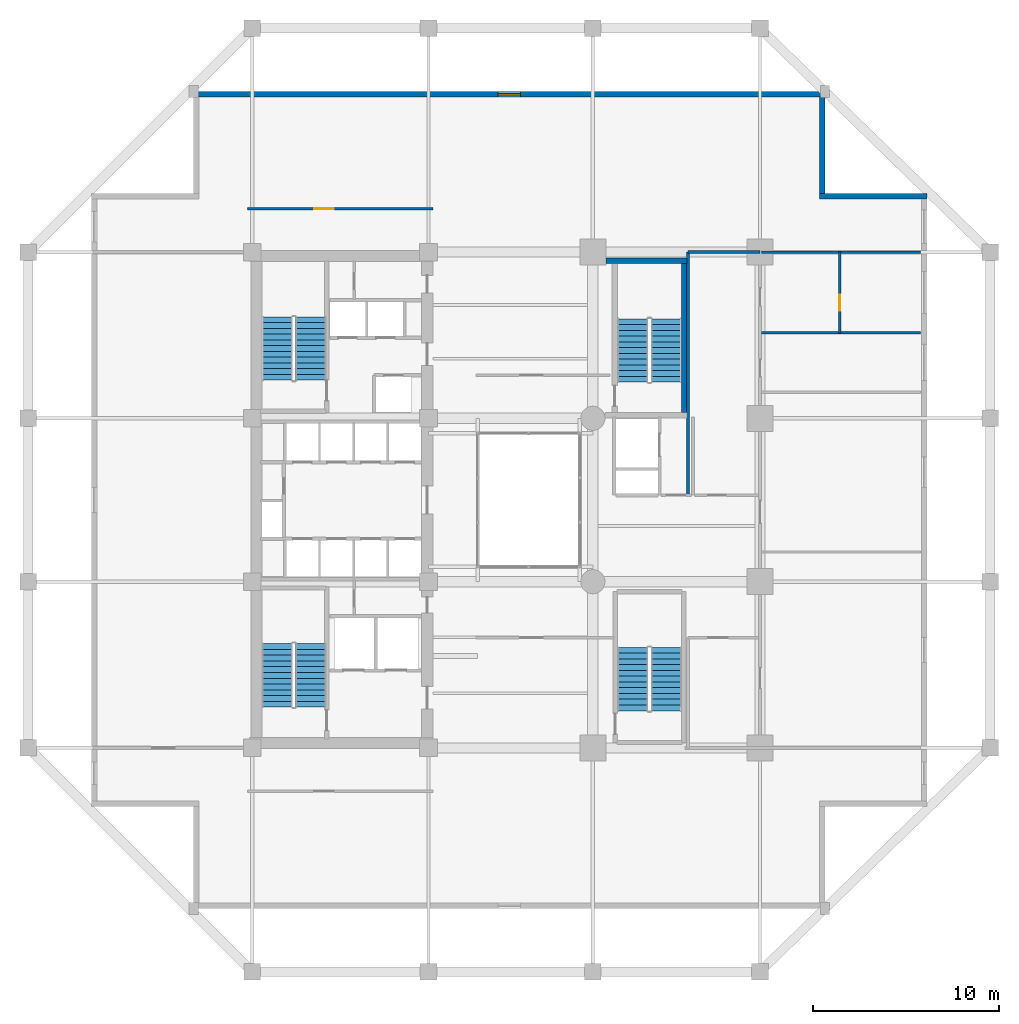
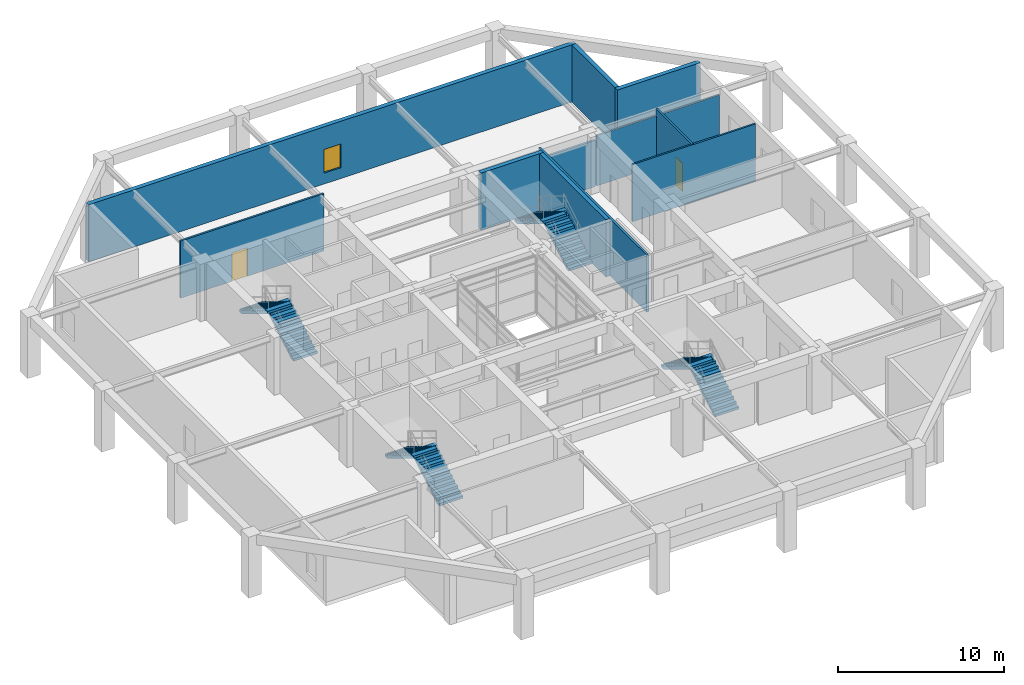
# One storey, part 9 of 10: 11 walls, 8 stair flights, 2 doors, 1 window, 3 openings, 4 elements without a shape of their own.
"""IFC4 building model written with IfcOpenShell, lengths in metres."""

from ifc_helpers import new_model, si_unit, direction, frame, frame_2d, origin, place, context, subcontext, project, spatial, polyline, rectangle, outline, extrude, material, layer, layer_set, type_object, element, fill, aggregate, save


model = new_model("IFC4")

# Units and contexts
model_context = context("Model", 3, precision=1e-05, world=origin(), true_north=direction((0.0, 1.0)))
body_context = subcontext(model_context, "Body", "Model", "MODEL_VIEW")
ifc_project = project(units=[si_unit("LENGTHUNIT", "METRE"), si_unit("AREAUNIT", "SQUARE_METRE"), si_unit("VOLUMEUNIT", "CUBIC_METRE"), si_unit("PLANEANGLEUNIT", "RADIAN"), si_unit("MASSUNIT", "GRAM", prefix="KILO")], contexts=[model_context])

# Site, building, storey
site_placement = place(None, origin())
site = spatial("IfcSite", under=ifc_project, at=site_placement, CompositionType="ELEMENT")
building_placement = place(site_placement, origin())
building = spatial("IfcBuilding", under=site, at=building_placement, Name="Kundavana Baori Tower", CompositionType="ELEMENT")
storey_placement = place(building_placement, frame((0.0, 0.0, 12.5)))
storey = spatial("IfcBuildingStorey", under=building, at=storey_placement, Name="L02", CompositionType="ELEMENT", Elevation=12.5)

# Walls
ifc_material_1 = material(Name="Red-Buff Dholpur Sandstone Cladding on Concrete C40/50", Category="masonry")
ifc_layer_1 = layer(ifc_material_1, 0.300048828125, Name="WL-EXT-SAND-300")
ifc_layer_set_1 = layer_set([ifc_layer_1], Name="Red-Buff Dholpur Sandstone Cladding on Concrete C40/50")
wall_type_1 = type_object("IfcWallType", Name="WL-EXT-SAND-300", PredefinedType="STANDARD", material=ifc_layer_set_1)
wall_1_placement = place(storey_placement, frame((51.800048828125, 44.949951171875, 0.0), z_axis=(0.0, 0.0, 1.0), x_axis=(-1.0, 0.0, 0.0)))
element("IfcWall", 1, at=wall_1_placement, inside=storey, type_object=wall_type_1, Name="L02 Exterior Insulated Facade Wall 05", PredefinedType="STANDARD", context=body_context, shape_type="SweptSolid", body=[
    extrude(rectangle(XDim=5.800048828125, YDim=0.300048828125, at=frame_2d((2.89990234375, 0.0))), origin(), (0.0, 0.0, 1.0), 4.219970703125),
])
wall_2_placement = place(storey_placement, frame((46.14990234375, 45.10009765625, 0.0), z_axis=(0.0, 0.0, 1.0), x_axis=(0.0, 1.0, 0.0)))
element("IfcWall", 2, at=wall_2_placement, inside=storey, type_object=wall_type_1, Name="L02 Exterior Insulated Facade Wall 06", PredefinedType="STANDARD", context=body_context, shape_type="SweptSolid", body=[
    extrude(rectangle(XDim=5.199951171875, YDim=0.300048828125, at=frame_2d((2.60009765625, 0.0))), origin(), (0.0, 0.0, 1.0), 4.219970703125),
])

# Wall, opening, window
wall_3_placement = place(storey_placement, frame((46.300048828125, 50.449951171875, 0.0), z_axis=(0.0, 0.0, 1.0), x_axis=(-1.0, 0.0, 0.0)))
wall_3 = element("IfcWall", 3, at=wall_3_placement, inside=storey, type_object=wall_type_1, Name="L02 Exterior Insulated Facade Wall 07", PredefinedType="STANDARD", context=body_context, shape_type="SweptSolid", body=[
    extrude(rectangle(XDim=34.0, YDim=0.300048828125, at=frame_2d((17.0, 0.0))), origin(), (0.0, 0.0, 1.0), 4.219970703125),
])
opening_1_placement = place(wall_3_placement, frame((16.39990234375, 0.0, 0.800048828125)))
opening_1 = element("IfcOpeningElement", 4, at=opening_1_placement, cuts=wall_3, Name="Opening W-03", PredefinedType="OPENING", context=body_context, shape_type="SweptSolid", body=[
    extrude(rectangle(XDim=1.199951171875, YDim=1.75, at=frame_2d((0.60009765625, 0.875))), frame((0.0, 0.16015625, 0.0), z_axis=(0.0, -1.0, 0.0), x_axis=(1.0, 0.0, 0.0)), (0.0, 0.0, 1.0), 0.320068359375),
])
ifc_material_2 = material(Name="Double-Glazed Solar-Control Low-E Insulated Glass", Category="glass")
window_type = type_object("IfcWindowType", Name="WIN-LOG-1200x1750", PartitioningType="SINGLE_PANEL", PredefinedType="WINDOW", material=ifc_material_2)
window_placement = place(opening_1_placement, origin())
window = element("IfcWindow", 5, at=window_placement, inside=storey, type_object=window_type, Name="L02 Recessed Loggia Window N-1", OverallHeight=1.75, OverallWidth=1.199951171875, PartitioningType="SINGLE_PANEL", PredefinedType="WINDOW", context=body_context, shape_type="SweptSolid", body=[
    extrude(rectangle(XDim=1.199951171875, YDim=1.75, at=frame_2d((0.60009765625, 0.875))), frame((0.0, 0.030029296875, 0.0), z_axis=(0.0, -1.0, 0.0), x_axis=(1.0, 0.0, 0.0)), (0.0, 0.0, 1.0), 0.06005859375),
])
fill(opening_1, window)

# Wall, opening, door
ifc_material_3 = material(Name="Acoustic Gypsum Plasterboard on Galvanised Steel Studs", Category="steel")
ifc_layer_2 = layer(ifc_material_3, 0.135009765625, Name="WL-PART-135")
ifc_layer_set_2 = layer_set([ifc_layer_2], Name="Acoustic Gypsum Plasterboard on Galvanised Steel Studs")
wall_type_2 = type_object("IfcWallType", Name="WL-PART-135", PredefinedType="PARTITIONING", material=ifc_layer_set_2)
wall_4_placement = place(storey_placement, frame((15.199951171875, 44.280029296875, 0.0), z_axis=(0.0, 0.0, 1.0), x_axis=(1.0, 0.0, 0.0)))
wall_4 = element("IfcWall", 6, at=wall_4_placement, inside=storey, type_object=wall_type_2, Name="WL-L02-NC", PredefinedType="PARTITIONING", context=body_context, shape_type="SweptSolid", body=[
    extrude(rectangle(XDim=10.0, YDim=0.135009765625, at=frame_2d((5.0, 0.0))), origin(), (0.0, 0.0, 1.0), 4.219970703125),
])
opening_2_placement = place(wall_4_placement, frame((3.60009765625, 0.0, 0.0)))
opening_2 = element("IfcOpeningElement", 7, at=opening_2_placement, cuts=wall_4, Name="Opening ID-105", PredefinedType="OPENING", context=body_context, shape_type="SweptSolid", body=[
    extrude(rectangle(XDim=1.050048828125, YDim=2.10009765625, at=frame_2d((0.52490234375, 1.050048828125))), frame((0.0, 0.07763671875, 0.0), z_axis=(0.0, -1.0, 0.0), x_axis=(1.0, 0.0, 0.0)), (0.0, 0.0, 1.0), 0.155029296875),
])
ifc_material_4 = material(Name="Engineered Teak Solid-Core Timber Veneer", Category="wood")
door_type_1 = type_object("IfcDoorType", Name="DR-INT-1050", OperationType="NOTDEFINED", PredefinedType="DOOR", material=ifc_material_4)
door_1_placement = place(opening_2_placement, origin())
door_1 = element("IfcDoor", 8, at=door_1_placement, inside=storey, type_object=door_type_1, Name="DR-L02-RNW", OperationType="SINGLE_SWING_RIGHT", OverallHeight=2.10009765625, OverallWidth=1.050048828125, PredefinedType="DOOR", context=body_context, shape_type="SweptSolid", body=[
    extrude(rectangle(XDim=1.050048828125, YDim=2.10009765625, at=frame_2d((0.52490234375, 1.050048828125))), frame((0.0, 0.02490234375, 0.0), z_axis=(0.0, -1.0, 0.0), x_axis=(1.0, 0.0, 0.0)), (0.0, 0.0, 1.0), 0.050048828125),
])
fill(opening_2, door_1)

# Walls
ifc_material_5 = material(Name="Fire-Rated Gypsum Drywall on Galvanised Steel Studs", Category="steel")
ifc_layer_3 = layer(ifc_material_5, 0.14990234375, Name="WL-PART-150")
ifc_layer_set_3 = layer_set([ifc_layer_3], Name="Fire-Rated Gypsum Drywall on Galvanised Steel Studs")
wall_type_3 = type_object("IfcWallType", Name="WL-PART-150", PredefinedType="PARTITIONING", material=ifc_layer_set_3)
wall_5_placement = place(storey_placement, frame((38.919921875, 28.860107421875, 0.0), z_axis=(0.0, 0.0, 1.0), x_axis=(0.0, 1.0, 0.0)))
element("IfcWall", 9, at=wall_5_placement, inside=storey, type_object=wall_type_3, Name="WL-L02-PEATW", PredefinedType="PARTITIONING", context=body_context, shape_type="SweptSolid", body=[
    extrude(rectangle(XDim=13.08984375, YDim=0.14990234375, at=frame_2d((6.544921875, 0.0))), origin(), (0.0, 0.0, 1.0), 4.219970703125),
])
wall_6_placement = place(storey_placement, frame((38.919921875, 41.949951171875, 0.0), z_axis=(0.0, 0.0, 1.0), x_axis=(1.0, 0.0, 0.0)))
element("IfcWall", 10, at=wall_6_placement, inside=storey, type_object=wall_type_3, Name="WL-L02-PEATN", PredefinedType="PARTITIONING", context=body_context, shape_type="SweptSolid", body=[
    extrude(rectangle(XDim=3.880126953125, YDim=0.14990234375, at=frame_2d((1.93994140625, 0.0))), origin(), (0.0, 0.0, 1.0), 3.419921875),
])
ifc_material_6 = material(Name="Concrete C50/60", Category="concrete")
ifc_layer_4 = layer(ifc_material_6, 0.300048828125, Name="WL-ST3-300")
ifc_layer_set_4 = layer_set([ifc_layer_4], Name="Concrete C50/60")
wall_type_4 = type_object("IfcWallType", Name="WL-ST3-300", PredefinedType="SHEAR", material=ifc_layer_set_4)
wall_7_placement = place(storey_placement, frame((34.5, 41.489990234375, 0.0), z_axis=(0.0, 0.0, 1.0), x_axis=(1.0, 0.0, 0.0)))
element("IfcWall", 11, at=wall_7_placement, inside=storey, type_object=wall_type_4, Name="L02 Stair ST3 North Shear Wall", PredefinedType="SHEAR", context=body_context, shape_type="SweptSolid", body=[
    extrude(rectangle(XDim=4.3701171875, YDim=0.300048828125, at=frame_2d((2.18505859375, 0.0))), origin(), (0.0, 0.0, 1.0), 4.219970703125),
])
wall_8_placement = place(storey_placement, frame((38.719970703125, 33.31005859375, 0.0), z_axis=(0.0, 0.0, 1.0), x_axis=(0.0, 1.0, 0.0)))
element("IfcWall", 12, at=wall_8_placement, inside=storey, type_object=wall_type_4, Name="L02 Stair ST3 East Shear Wall", PredefinedType="SHEAR", context=body_context, shape_type="SweptSolid", body=[
    extrude(rectangle(XDim=8.030029296875, YDim=0.300048828125, at=frame_2d((4.01513671875, 0.0))), origin(), (0.0, 0.0, 1.0), 4.219970703125),
])
ifc_material_7 = material(Name="Autoclaved Aerated Concrete Blockwork Masonry", Category="masonry")
ifc_layer_5 = layer(ifc_material_7, 0.125, Name="WL-WET-120")
ifc_layer_set_5 = layer_set([ifc_layer_5], Name="Autoclaved Aerated Concrete Blockwork Masonry")
wall_type_5 = type_object("IfcWallType", Name="WL-WET-120", PredefinedType="PLUMBINGWALL", material=ifc_layer_set_5)
wall_9_placement = place(storey_placement, frame((42.8798828125, 41.949951171875, 0.0), z_axis=(0.0, 0.0, 1.0), x_axis=(1.0, 0.0, 0.0)))
element("IfcWall", 13, at=wall_9_placement, inside=storey, type_object=wall_type_5, Name="WL-L02-PODE-N", PredefinedType="PLUMBINGWALL", context=body_context, shape_type="SweptSolid", body=[
    extrude(rectangle(XDim=8.570068359375, YDim=0.125, at=frame_2d((4.28515625, 0.0))), origin(), (0.0, 0.0, 1.0), 3.719970703125),
])
wall_10_placement = place(storey_placement, frame((42.8798828125, 37.60009765625, 0.0), z_axis=(0.0, 0.0, 1.0), x_axis=(1.0, 0.0, 0.0)))
element("IfcWall", 14, at=wall_10_placement, inside=storey, type_object=wall_type_5, Name="WL-L02-ED3", PredefinedType="PLUMBINGWALL", context=body_context, shape_type="SweptSolid", body=[
    extrude(rectangle(XDim=8.570068359375, YDim=0.125, at=frame_2d((4.28515625, 0.0))), origin(), (0.0, 0.0, 1.0), 4.219970703125),
])

# Wall, opening, door
wall_11_placement = place(storey_placement, frame((47.10009765625, 37.60009765625, 0.0), z_axis=(0.0, 0.0, 1.0), x_axis=(0.0, 1.0, 0.0)))
wall_11 = element("IfcWall", 15, at=wall_11_placement, inside=storey, type_object=wall_type_5, Name="WL-L02-WCAD", PredefinedType="PLUMBINGWALL", context=body_context, shape_type="SweptSolid", body=[
    extrude(rectangle(XDim=4.349853515625, YDim=0.125, at=frame_2d((2.1748046875, 0.0))), origin(), (0.0, 0.0, 1.0), 4.219970703125),
])
opening_3_placement = place(wall_11_placement, frame((1.199951171875, 0.0, 0.0)))
opening_3 = element("IfcOpeningElement", 16, at=opening_3_placement, cuts=wall_11, Name="Opening WD-085", PredefinedType="OPENING", context=body_context, shape_type="SweptSolid", body=[
    extrude(rectangle(XDim=0.85009765625, YDim=2.050048828125, at=frame_2d((0.425048828125, 1.02490234375))), frame((0.0, 0.072509765625, 0.0), z_axis=(0.0, -1.0, 0.0), x_axis=(1.0, 0.0, 0.0)), (0.0, 0.0, 1.0), 0.14501953125),
])
ifc_material_8 = material(Name="Engineered Teak Solid-Core Timber Veneer", Category="wood")
door_type_2 = type_object("IfcDoorType", Name="DR-WET-850", OperationType="NOTDEFINED", PredefinedType="DOOR", material=ifc_material_8)
door_2_placement = place(opening_3_placement, origin())
door_2 = element("IfcDoor", 17, at=door_2_placement, inside=storey, type_object=door_type_2, Name="DR-L02-WCPR", OperationType="SINGLE_SWING_LEFT", OverallHeight=2.050048828125, OverallWidth=0.85009765625, PredefinedType="DOOR", context=body_context, shape_type="SweptSolid", body=[
    extrude(rectangle(XDim=0.85009765625, YDim=2.050048828125, at=frame_2d((0.425048828125, 1.02490234375))), frame((0.0, 0.02490234375, 0.0), z_axis=(0.0, -1.0, 0.0), x_axis=(1.0, 0.0, 0.0)), (0.0, 0.0, 1.0), 0.050048828125),
])
fill(opening_3, door_2)

# Stair, stair flights
ifc_material_9 = material(Name="Concrete C40/50", Category="concrete")
stair_type = type_object("IfcStairType", Name="STR-DOG-1650", PredefinedType="HALF_TURN_STAIR", material=ifc_material_9)
stair_1_placement = place(storey_placement, origin())
stair_1 = element("IfcStair", 18, at=stair_1_placement, inside=storey, type_object=stair_type, Name="L02 Protected Exit Stair ST1", PredefinedType="HALF_TURN_STAIR")
ifc_material_10 = material(Name="Concrete C40/50", Category="concrete")
stair_flight_type = type_object("IfcStairFlightType", Name="SFL-RC-1650", PredefinedType="STRAIGHT", material=ifc_material_10)
stair_flight_1_placement = place(storey_placement, frame((18.614990234375, 17.449951171875, 0.0), z_axis=(0.0, 0.0, 1.0), x_axis=(0.0, 1.0, 0.0)))
stair_flight_1 = element("IfcStairFlight", 19, at=stair_flight_1_placement, type_object=stair_flight_type, Name="ST1 flight 1", NumberOfRisers=12, NumberOfTreads=11, PredefinedType="STRAIGHT", RiserHeight=0.1875, TreadLength=0.31, context=body_context, shape_type="SweptSolid", body=[
    extrude(outline(polyline([(0.0, 0.0), (0.0, 0.1875), (0.31005859375, 0.1875), (0.31005859375, 0.375), (0.6201171875, 0.375), (0.6201171875, 0.5625), (0.929931640625, 0.5625), (0.929931640625, 0.75), (1.239990234375, 0.75), (1.239990234375, 0.9375), (1.550048828125, 0.9375), (1.550048828125, 1.125), (1.860107421875, 1.125), (1.860107421875, 1.3125), (2.169921875, 1.3125), (2.169921875, 1.5), (2.47998046875, 1.5), (2.47998046875, 1.6875), (2.7900390625, 1.6875), (2.7900390625, 1.875), (3.10009765625, 1.875), (3.10009765625, 2.0625), (3.409912109375, 2.0625), (3.409912109375, 2.25), (3.409912109375, 1.88720703125), (0.28955078125, 0.0), (0.0, 0.0)])), frame((0.0, 0.824951171875, 0.0), z_axis=(0.0, -1.0, 0.0), x_axis=(1.0, 0.0, 0.0)), (0.0, 0.0, 1.0), 1.64990234375),
])
stair_flight_2_placement = place(storey_placement, frame((16.804931640625, 20.860107421875, 2.25), z_axis=(0.0, 0.0, 1.0), x_axis=(0.0, -1.0, 0.0)))
stair_flight_2 = element("IfcStairFlight", 20, at=stair_flight_2_placement, type_object=stair_flight_type, Name="ST1 flight 2", NumberOfRisers=12, NumberOfTreads=11, PredefinedType="STRAIGHT", RiserHeight=0.1875, TreadLength=0.31, context=body_context, shape_type="SweptSolid", body=[
    extrude(outline(polyline([(0.0, 0.0), (0.0, 0.1875), (0.31005859375, 0.1875), (0.31005859375, 0.375), (0.6201171875, 0.375), (0.6201171875, 0.5625), (0.929931640625, 0.5625), (0.929931640625, 0.75), (1.239990234375, 0.75), (1.239990234375, 0.9375), (1.550048828125, 0.9375), (1.550048828125, 1.125), (1.860107421875, 1.125), (1.860107421875, 1.3125), (2.169921875, 1.3125), (2.169921875, 1.5), (2.47998046875, 1.5), (2.47998046875, 1.6875), (2.7900390625, 1.6875), (2.7900390625, 1.875), (3.10009765625, 1.875), (3.10009765625, 2.0625), (3.409912109375, 2.0625), (3.409912109375, 2.25), (3.409912109375, 1.88720703125), (0.28955078125, 0.0), (0.0, 0.0)])), frame((0.0, 0.824951171875, 0.0), z_axis=(0.0, -1.0, 0.0), x_axis=(1.0, 0.0, 0.0)), (0.0, 0.0, 1.0), 1.64990234375),
])
aggregate(stair_1, [stair_flight_1, stair_flight_2])

stair_2_placement = place(storey_placement, origin())
stair_2 = element("IfcStair", 21, at=stair_2_placement, inside=storey, type_object=stair_type, Name="L02 Protected Exit Stair ST2", PredefinedType="HALF_TURN_STAIR")
stair_flight_3_placement = place(storey_placement, frame((18.614990234375, 35.050048828125, 0.0), z_axis=(0.0, 0.0, 1.0), x_axis=(0.0, 1.0, 0.0)))
stair_flight_3 = element("IfcStairFlight", 22, at=stair_flight_3_placement, type_object=stair_flight_type, Name="ST2 flight 1", NumberOfRisers=12, NumberOfTreads=11, PredefinedType="STRAIGHT", RiserHeight=0.1875, TreadLength=0.31, context=body_context, shape_type="SweptSolid", body=[
    extrude(outline(polyline([(0.0, 0.0), (0.0, 0.1875), (0.31005859375, 0.1875), (0.31005859375, 0.375), (0.6201171875, 0.375), (0.6201171875, 0.5625), (0.929931640625, 0.5625), (0.929931640625, 0.75), (1.239990234375, 0.75), (1.239990234375, 0.9375), (1.550048828125, 0.9375), (1.550048828125, 1.125), (1.860107421875, 1.125), (1.860107421875, 1.3125), (2.169921875, 1.3125), (2.169921875, 1.5), (2.47998046875, 1.5), (2.47998046875, 1.6875), (2.7900390625, 1.6875), (2.7900390625, 1.875), (3.10009765625, 1.875), (3.10009765625, 2.0625), (3.409912109375, 2.0625), (3.409912109375, 2.25), (3.409912109375, 1.88720703125), (0.28955078125, 0.0), (0.0, 0.0)])), frame((0.0, 0.824951171875, 0.0), z_axis=(0.0, -1.0, 0.0), x_axis=(1.0, 0.0, 0.0)), (0.0, 0.0, 1.0), 1.64990234375),
])
stair_flight_4_placement = place(storey_placement, frame((16.804931640625, 38.4599609375, 2.25), z_axis=(0.0, 0.0, 1.0), x_axis=(0.0, -1.0, 0.0)))
stair_flight_4 = element("IfcStairFlight", 23, at=stair_flight_4_placement, type_object=stair_flight_type, Name="ST2 flight 2", NumberOfRisers=12, NumberOfTreads=11, PredefinedType="STRAIGHT", RiserHeight=0.1875, TreadLength=0.31, context=body_context, shape_type="SweptSolid", body=[
    extrude(outline(polyline([(0.0, 0.0), (0.0, 0.1875), (0.31005859375, 0.1875), (0.31005859375, 0.375), (0.6201171875, 0.375), (0.6201171875, 0.5625), (0.929931640625, 0.5625), (0.929931640625, 0.75), (1.239990234375, 0.75), (1.239990234375, 0.9375), (1.550048828125, 0.9375), (1.550048828125, 1.125), (1.860107421875, 1.125), (1.860107421875, 1.3125), (2.169921875, 1.3125), (2.169921875, 1.5), (2.47998046875, 1.5), (2.47998046875, 1.6875), (2.7900390625, 1.6875), (2.7900390625, 1.875), (3.10009765625, 1.875), (3.10009765625, 2.0625), (3.409912109375, 2.0625), (3.409912109375, 2.25), (3.409912109375, 1.88720703125), (0.28955078125, 0.0), (0.0, 0.0)])), frame((0.0, 0.824951171875, 0.0), z_axis=(0.0, -1.0, 0.0), x_axis=(1.0, 0.0, 0.0)), (0.0, 0.0, 1.0), 1.64990234375),
])
aggregate(stair_2, [stair_flight_3, stair_flight_4])

stair_3_placement = place(storey_placement, origin())
stair_3 = element("IfcStair", 24, at=stair_3_placement, inside=storey, type_object=stair_type, Name="L02 Protected Exit Stair ST3", PredefinedType="HALF_TURN_STAIR")
stair_flight_5_placement = place(storey_placement, frame((37.7548828125, 34.949951171875, 0.0), z_axis=(0.0, 0.0, 1.0), x_axis=(0.0, 1.0, 0.0)))
stair_flight_5 = element("IfcStairFlight", 25, at=stair_flight_5_placement, type_object=stair_flight_type, Name="ST3 flight 1", NumberOfRisers=12, NumberOfTreads=11, PredefinedType="STRAIGHT", RiserHeight=0.1875, TreadLength=0.31, context=body_context, shape_type="SweptSolid", body=[
    extrude(outline(polyline([(0.0, 0.0), (0.0, 0.1875), (0.31005859375, 0.1875), (0.31005859375, 0.375), (0.6201171875, 0.375), (0.6201171875, 0.5625), (0.929931640625, 0.5625), (0.929931640625, 0.75), (1.239990234375, 0.75), (1.239990234375, 0.9375), (1.550048828125, 0.9375), (1.550048828125, 1.125), (1.860107421875, 1.125), (1.860107421875, 1.3125), (2.169921875, 1.3125), (2.169921875, 1.5), (2.47998046875, 1.5), (2.47998046875, 1.6875), (2.7900390625, 1.6875), (2.7900390625, 1.875), (3.10009765625, 1.875), (3.10009765625, 2.0625), (3.409912109375, 2.0625), (3.409912109375, 2.25), (3.409912109375, 1.88720703125), (0.28955078125, 0.0), (0.0, 0.0)])), frame((0.0, 0.824951171875, 0.0), z_axis=(0.0, -1.0, 0.0), x_axis=(1.0, 0.0, 0.0)), (0.0, 0.0, 1.0), 1.64990234375),
])
stair_flight_6_placement = place(storey_placement, frame((35.945068359375, 38.360107421875, 2.25), z_axis=(0.0, 0.0, 1.0), x_axis=(0.0, -1.0, 0.0)))
stair_flight_6 = element("IfcStairFlight", 26, at=stair_flight_6_placement, type_object=stair_flight_type, Name="ST3 flight 2", NumberOfRisers=12, NumberOfTreads=11, PredefinedType="STRAIGHT", RiserHeight=0.1875, TreadLength=0.31, context=body_context, shape_type="SweptSolid", body=[
    extrude(outline(polyline([(0.0, 0.0), (0.0, 0.1875), (0.31005859375, 0.1875), (0.31005859375, 0.375), (0.6201171875, 0.375), (0.6201171875, 0.5625), (0.929931640625, 0.5625), (0.929931640625, 0.75), (1.239990234375, 0.75), (1.239990234375, 0.9375), (1.550048828125, 0.9375), (1.550048828125, 1.125), (1.860107421875, 1.125), (1.860107421875, 1.3125), (2.169921875, 1.3125), (2.169921875, 1.5), (2.47998046875, 1.5), (2.47998046875, 1.6875), (2.7900390625, 1.6875), (2.7900390625, 1.875), (3.10009765625, 1.875), (3.10009765625, 2.0625), (3.409912109375, 2.0625), (3.409912109375, 2.25), (3.409912109375, 1.88720703125), (0.28955078125, 0.0), (0.0, 0.0)])), frame((0.0, 0.824951171875, 0.0), z_axis=(0.0, -1.0, 0.0), x_axis=(1.0, 0.0, 0.0)), (0.0, 0.0, 1.0), 1.64990234375),
])
aggregate(stair_3, [stair_flight_5, stair_flight_6])

stair_4_placement = place(storey_placement, origin())
stair_4 = element("IfcStair", 27, at=stair_4_placement, inside=storey, type_object=stair_type, Name="L02 Podium Atrium Stair ST4", PredefinedType="HALF_TURN_STAIR")
stair_flight_7_placement = place(storey_placement, frame((37.7548828125, 17.25, 0.0), z_axis=(0.0, 0.0, 1.0), x_axis=(0.0, 1.0, 0.0)))
stair_flight_7 = element("IfcStairFlight", 28, at=stair_flight_7_placement, type_object=stair_flight_type, Name="ST4 flight 1", NumberOfRisers=12, NumberOfTreads=11, PredefinedType="STRAIGHT", RiserHeight=0.1875, TreadLength=0.31, context=body_context, shape_type="SweptSolid", body=[
    extrude(outline(polyline([(0.0, 0.0), (0.0, 0.1875), (0.31005859375, 0.1875), (0.31005859375, 0.375), (0.6201171875, 0.375), (0.6201171875, 0.5625), (0.929931640625, 0.5625), (0.929931640625, 0.75), (1.239990234375, 0.75), (1.239990234375, 0.9375), (1.550048828125, 0.9375), (1.550048828125, 1.125), (1.860107421875, 1.125), (1.860107421875, 1.3125), (2.169921875, 1.3125), (2.169921875, 1.5), (2.47998046875, 1.5), (2.47998046875, 1.6875), (2.7900390625, 1.6875), (2.7900390625, 1.875), (3.10009765625, 1.875), (3.10009765625, 2.0625), (3.409912109375, 2.0625), (3.409912109375, 2.25), (3.409912109375, 1.88720703125), (0.28955078125, 0.0), (0.0, 0.0)])), frame((0.0, 0.824951171875, 0.0), z_axis=(0.0, -1.0, 0.0), x_axis=(1.0, 0.0, 0.0)), (0.0, 0.0, 1.0), 1.64990234375),
])
stair_flight_8_placement = place(storey_placement, frame((35.945068359375, 20.659912109375, 2.25), z_axis=(0.0, 0.0, 1.0), x_axis=(0.0, -1.0, 0.0)))
stair_flight_8 = element("IfcStairFlight", 29, at=stair_flight_8_placement, type_object=stair_flight_type, Name="ST4 flight 2", NumberOfRisers=12, NumberOfTreads=11, PredefinedType="STRAIGHT", RiserHeight=0.1875, TreadLength=0.31, context=body_context, shape_type="SweptSolid", body=[
    extrude(outline(polyline([(0.0, 0.0), (0.0, 0.1875), (0.31005859375, 0.1875), (0.31005859375, 0.375), (0.6201171875, 0.375), (0.6201171875, 0.5625), (0.929931640625, 0.5625), (0.929931640625, 0.75), (1.239990234375, 0.75), (1.239990234375, 0.9375), (1.550048828125, 0.9375), (1.550048828125, 1.125), (1.860107421875, 1.125), (1.860107421875, 1.3125), (2.169921875, 1.3125), (2.169921875, 1.5), (2.47998046875, 1.5), (2.47998046875, 1.6875), (2.7900390625, 1.6875), (2.7900390625, 1.875), (3.10009765625, 1.875), (3.10009765625, 2.0625), (3.409912109375, 2.0625), (3.409912109375, 2.25), (3.409912109375, 1.88720703125), (0.28955078125, 0.0), (0.0, 0.0)])), frame((0.0, 0.824951171875, 0.0), z_axis=(0.0, -1.0, 0.0), x_axis=(1.0, 0.0, 0.0)), (0.0, 0.0, 1.0), 1.64990234375),
])
aggregate(stair_4, [stair_flight_7, stair_flight_8])

save(model, "model.ifc")
